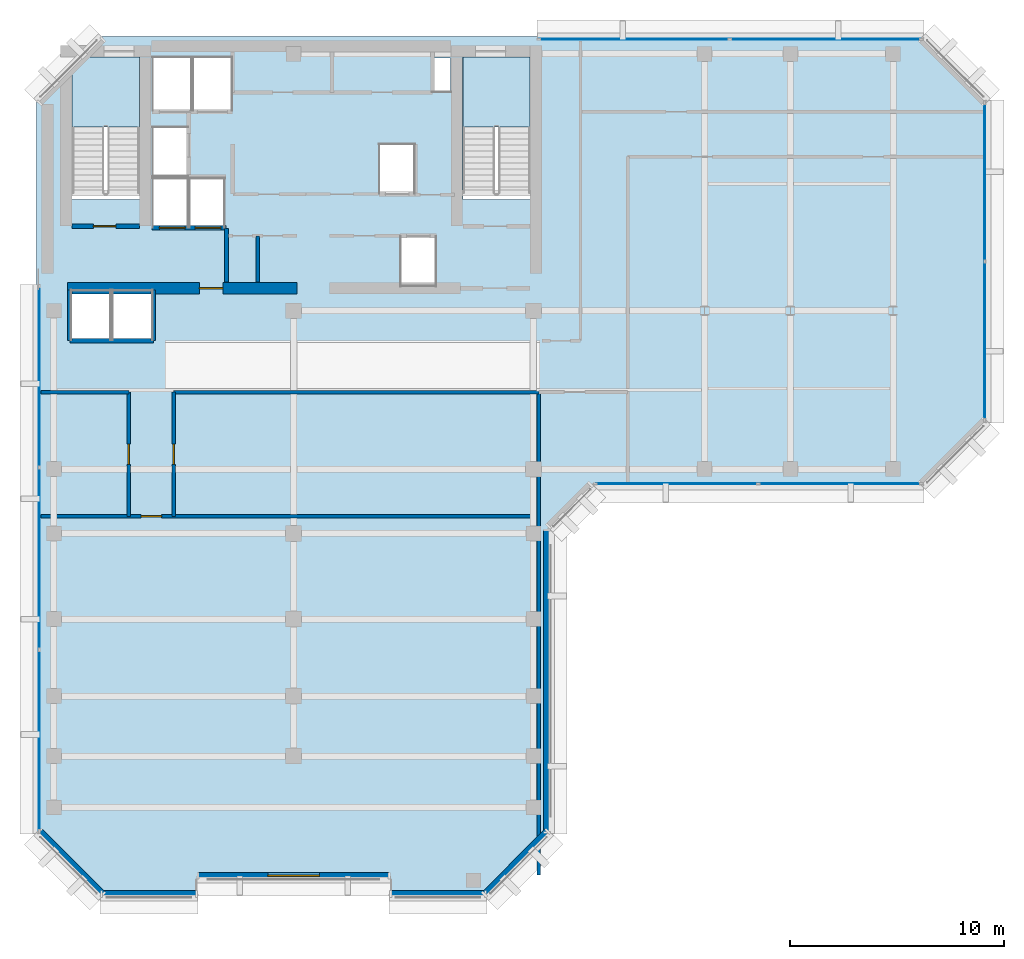
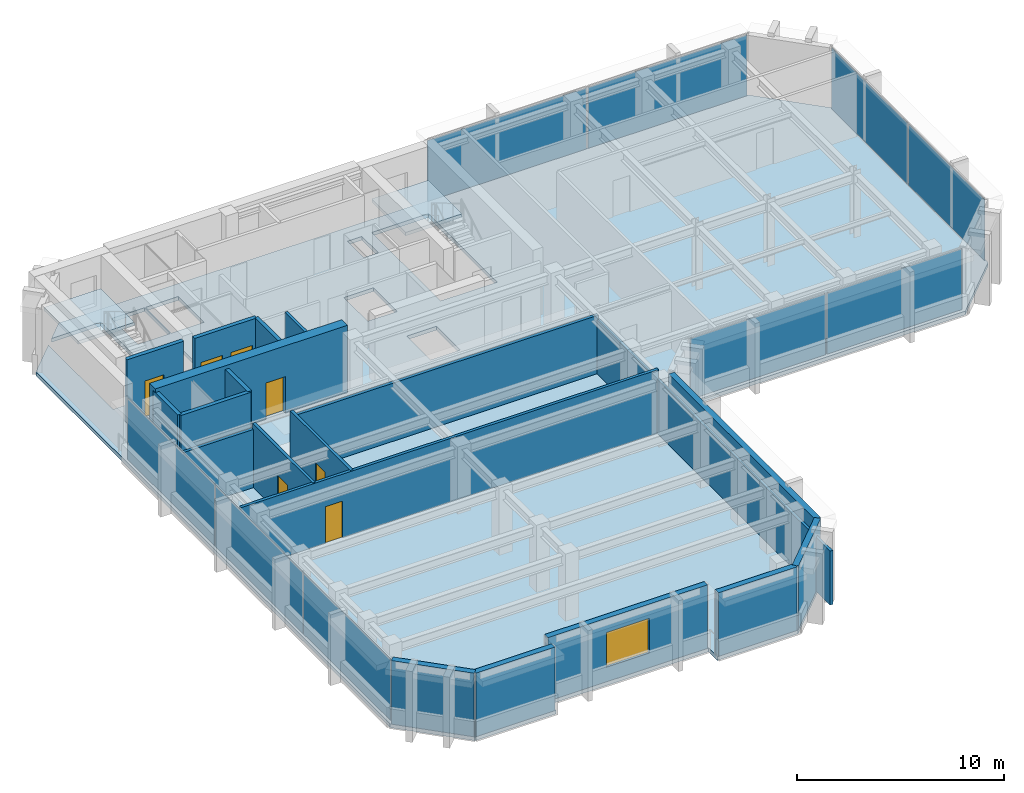
# One storey, part 6 of 12: 20 walls, 9 plates, 7 doors, 3 slabs, 1 window, 8 openings, 6 elements without a shape of their own.
"""IFC4 building model written with IfcOpenShell, lengths in metres."""

from ifc_helpers import new_model, si_unit, direction, frame, frame_2d, origin, origin_2d, place, context, subcontext, project, spatial, polyline, rectangle, outline, extrude, material, layer, layer_set, type_object, element, fill, aggregate, save


model = new_model("IFC4")

# Units and contexts
model_context = context("Model", 3, precision=1e-05, world=origin(), true_north=direction((0.0, 1.0)))
body_context = subcontext(model_context, "Body", "Model", "MODEL_VIEW")
ifc_project = project(units=[si_unit("LENGTHUNIT", "METRE"), si_unit("AREAUNIT", "SQUARE_METRE"), si_unit("VOLUMEUNIT", "CUBIC_METRE"), si_unit("PLANEANGLEUNIT", "RADIAN"), si_unit("MASSUNIT", "GRAM", prefix="KILO")], contexts=[model_context])

# Site, building, storey
site_placement = place(None, origin())
site = spatial("IfcSite", under=ifc_project, at=site_placement, CompositionType="ELEMENT")
building_placement = place(site_placement, origin())
building = spatial("IfcBuilding", under=site, at=building_placement, Name="Kefirva Bronze Tower", CompositionType="ELEMENT")
storey_placement = place(building_placement, frame((0.0, 0.0, 339.570068359375)))
storey = spatial("IfcBuildingStorey", under=building, at=storey_placement, Name="L83", CompositionType="ELEMENT", Elevation=339.570068359375)

# Stair, slab
ifc_material_1 = material(Name="Concrete C40/50", Category="concrete")
stair_type = type_object("IfcStairType", Name="RC Dogleg Protected Stair 24R", PredefinedType="HALF_TURN_STAIR", material=ifc_material_1)
stair_1_placement = place(storey_placement, origin())
stair_1 = element("IfcStair", 1, at=stair_1_placement, inside=storey, type_object=stair_type, Name="L83 Protected Exit Stair 1", PredefinedType="HALF_TURN_STAIR")
ifc_layer_1 = layer(ifc_material_1, 0.199951171875, Name="Concrete C40/50")
ifc_layer_set_1 = layer_set([ifc_layer_1], Name="Concrete C40/50")
slab_type_1 = type_object("IfcSlabType", Name="RC Stair Landing Slab 200mm", PredefinedType="LANDING", material=ifc_layer_set_1)
slab_1_placement = place(storey_placement, frame((0.0, 0.0, 1.780029296875)))
slab_1 = element("IfcSlab", 2, at=slab_1_placement, type_object=slab_type_1, Name="ST-1 landing 1", PredefinedType="LANDING", context=body_context, shape_type="SweptSolid", body=[
    extrude(outline(polyline([(4.800048828125, 41.780029296875), (4.800048828125, 45.050048828125), (1.64990234375, 45.050048828125), (1.64990234375, 41.780029296875), (4.800048828125, 41.780029296875)])), origin(), (0.0, 0.0, 1.0), 0.199951171875),
])
aggregate(stair_1, [slab_1])

stair_2_placement = place(storey_placement, origin())
stair_2 = element("IfcStair", 3, at=stair_2_placement, inside=storey, type_object=stair_type, Name="L83 Protected Exit Stair 2", PredefinedType="HALF_TURN_STAIR")
slab_2_placement = place(storey_placement, frame((0.0, 0.0, 1.780029296875)))
slab_2 = element("IfcSlab", 4, at=slab_2_placement, type_object=slab_type_1, Name="ST-2 landing 1", PredefinedType="LANDING", context=body_context, shape_type="SweptSolid", body=[
    extrude(outline(polyline([(23.050048828125, 41.780029296875), (23.050048828125, 45.050048828125), (19.89990234375, 45.050048828125), (19.89990234375, 41.780029296875), (23.050048828125, 41.780029296875)])), origin(), (0.0, 0.0, 1.0), 0.199951171875),
])
aggregate(stair_2, [slab_2])

# Slab
ifc_layer_2 = layer(ifc_material_1, 0.219970703125, Name="Concrete C40/50")
ifc_layer_set_2 = layer_set([ifc_layer_2], Name="Concrete C40/50")
slab_type_2 = type_object("IfcSlabType", Name="RC Upper Floor Slab 220mm", PredefinedType="FLOOR", material=ifc_layer_set_2)
slab_3_placement = place(storey_placement, frame((0.0, 0.0, -0.219970703125)))
element("IfcSlab", 5, at=slab_3_placement, inside=storey, type_object=slab_type_2, Name="L83 Structural Floor Slab", PredefinedType="FLOOR", context=body_context, shape_type="SweptSolid", body=[
    extrude(outline(polyline([(0.0, 8.800048828125), (0.0, 43.0), (1.64990234375, 44.64990234375), (1.64990234375, 38.39990234375), (4.800048828125, 38.39990234375), (4.800048828125, 45.050048828125), (2.050048828125, 45.050048828125), (3.0, 46.0), (41.39990234375, 46.0), (44.39990234375, 43.0), (44.39990234375, 28.0), (41.39990234375, 25.0), (26.0, 25.0), (24.0, 23.0), (24.0, 8.800048828125), (21.0, 5.800048828125), (16.5, 5.800048828125), (16.5, 6.64990234375), (7.5, 6.64990234375), (7.5, 5.800048828125), (3.0, 5.800048828125), (0.0, 8.800048828125)]), holes=[polyline([(23.050048828125, 45.050048828125), (19.89990234375, 45.050048828125), (19.89990234375, 38.39990234375), (23.050048828125, 38.39990234375), (23.050048828125, 45.050048828125)]), polyline([(19.320068359375, 43.419921875), (19.320068359375, 45.0), (18.52001953125, 45.0), (18.52001953125, 43.419921875), (19.320068359375, 43.419921875)]), polyline([(18.64990234375, 36.64990234375), (17.0, 36.64990234375), (17.0, 34.35009765625), (18.64990234375, 34.35009765625), (18.64990234375, 36.64990234375)]), polyline([(17.64990234375, 38.679931640625), (17.64990234375, 40.97998046875), (16.0, 40.97998046875), (16.0, 38.679931640625), (17.64990234375, 38.679931640625)]), polyline([(9.1201171875, 42.550048828125), (9.1201171875, 45.050048828125), (7.300048828125, 45.050048828125), (7.300048828125, 42.550048828125), (9.1201171875, 42.550048828125)]), polyline([(8.780029296875, 37.10009765625), (8.780029296875, 39.39990234375), (7.139892578125, 39.39990234375), (7.139892578125, 37.10009765625), (8.780029296875, 37.10009765625)]), polyline([(7.239990234375, 42.550048828125), (7.239990234375, 45.050048828125), (5.419921875, 45.050048828125), (5.419921875, 42.550048828125), (7.239990234375, 42.550048828125)]), polyline([(7.06005859375, 37.10009765625), (7.06005859375, 39.39990234375), (5.419921875, 39.39990234375), (5.419921875, 37.10009765625), (7.06005859375, 37.10009765625)]), polyline([(7.06005859375, 41.780029296875), (5.419921875, 41.780029296875), (5.419921875, 39.47998046875), (7.06005859375, 39.47998046875), (7.06005859375, 41.780029296875)]), polyline([(5.39990234375, 31.85009765625), (5.39990234375, 34.14990234375), (3.550048828125, 34.14990234375), (3.550048828125, 31.85009765625), (5.39990234375, 31.85009765625)]), polyline([(3.449951171875, 34.14990234375), (1.60009765625, 34.14990234375), (1.60009765625, 31.85009765625), (3.449951171875, 31.85009765625), (3.449951171875, 34.14990234375)])]), origin(), (0.0, 0.0, 1.0), 0.219970703125),
])

# Curtain wall, plates
ifc_material_2 = material(Name="Bronze anodised aluminium", Category="aluminium")
ifc_layer_3 = layer(ifc_material_2, 0.179931640625, Name="Bronze anodised aluminium")
ifc_layer_set_3 = layer_set([ifc_layer_3], Name="Bronze anodised aluminium")
curtain_wall_type = type_object("IfcCurtainWallType", Name="Unitised Bronze Ribbon Curtain Wall Zone 4", PredefinedType="USERDEFINED", material=ifc_layer_set_3)
curtain_wall_1_placement = place(storey_placement, origin())
curtain_wall_1 = element("IfcCurtainWall", 6, at=curtain_wall_1_placement, inside=storey, type_object=curtain_wall_type, Name="L83 Curtain Wall 1", ObjectType="UNITISED CURTAIN WALL", PredefinedType="USERDEFINED")
ifc_material_3 = material(Name="Laminated low-E double glazing", Category="glass")
ifc_layer_4 = layer(ifc_material_3, 0.031982421875, Name="Laminated low-E double glazing")
ifc_layer_set_4 = layer_set([ifc_layer_4], Name="Laminated low-E double glazing")
plate_type = type_object("IfcPlateType", Name="Solar-Control Low-E Vision Panel 32mm", PredefinedType="CURTAIN_PANEL", material=ifc_layer_set_4)
plate_1_placement = place(storey_placement, frame((29.896240234375, 25.1201171875, 0.07470703125), z_axis=(0.0, 0.0, 1.0), x_axis=(1.0, 0.0, 0.0)))
plate_1 = element("IfcPlate", 7, at=plate_1_placement, type_object=plate_type, Name="CW-04 panel 1.1", PredefinedType="CURTAIN_PANEL", context=body_context, shape_type="SweptSolid", body=[
    extrude(rectangle(XDim=7.532470703125, YDim=0.031982421875, at=origin_2d()), origin(), (0.0, 0.0, 1.0), 3.590087890625),
])
plate_2_placement = place(storey_placement, frame((37.503662109375, 25.1201171875, 0.07470703125), z_axis=(0.0, 0.0, 1.0), x_axis=(1.0, 0.0, 0.0)))
plate_2 = element("IfcPlate", 8, at=plate_2_placement, type_object=plate_type, Name="CW-04 panel 2.1", PredefinedType="CURTAIN_PANEL", context=body_context, shape_type="SweptSolid", body=[
    extrude(rectangle(XDim=7.532470703125, YDim=0.031982421875, at=origin_2d()), origin(), (0.0, 0.0, 1.0), 3.590087890625),
])
aggregate(curtain_wall_1, [plate_1, plate_2])

curtain_wall_2_placement = place(storey_placement, origin())
curtain_wall_2 = element("IfcCurtainWall", 9, at=curtain_wall_2_placement, inside=storey, type_object=curtain_wall_type, Name="L83 Curtain Wall 2", ObjectType="UNITISED CURTAIN WALL", PredefinedType="USERDEFINED")
plate_3_placement = place(storey_placement, frame((44.280029296875, 31.796142578125, 0.07470703125), z_axis=(0.0, 0.0, 1.0), x_axis=(0.0, 1.0, 0.0)))
plate_3 = element("IfcPlate", 10, at=plate_3_placement, type_object=plate_type, Name="CW-04 panel 1.1", PredefinedType="CURTAIN_PANEL", context=body_context, shape_type="SweptSolid", body=[
    extrude(rectangle(XDim=7.33251953125, YDim=0.031982421875, at=origin_2d()), origin(), (0.0, 0.0, 1.0), 3.590087890625),
])
plate_4_placement = place(storey_placement, frame((44.280029296875, 39.203857421875, 0.07470703125), z_axis=(0.0, 0.0, 1.0), x_axis=(0.0, 1.0, 0.0)))
plate_4 = element("IfcPlate", 11, at=plate_4_placement, type_object=plate_type, Name="CW-04 panel 2.1", PredefinedType="CURTAIN_PANEL", context=body_context, shape_type="SweptSolid", body=[
    extrude(rectangle(XDim=7.33251953125, YDim=0.031982421875, at=origin_2d()), origin(), (0.0, 0.0, 1.0), 3.590087890625),
])
aggregate(curtain_wall_2, [plate_3, plate_4])

curtain_wall_3_placement = place(storey_placement, origin())
curtain_wall_3 = element("IfcCurtainWall", 12, at=curtain_wall_3_placement, inside=storey, type_object=curtain_wall_type, Name="L83 Curtain Wall 3", ObjectType="UNITISED CURTAIN WALL", PredefinedType="USERDEFINED")
plate_5_placement = place(storey_placement, frame((36.84130859375, 45.8798828125, 0.07470703125), z_axis=(0.0, 0.0, 1.0), x_axis=(-1.0, 0.0, 0.0)))
plate_5 = element("IfcPlate", 13, at=plate_5_placement, type_object=plate_type, Name="CW-04 panel 1.1", PredefinedType="CURTAIN_PANEL", context=body_context, shape_type="SweptSolid", body=[
    extrude(rectangle(XDim=8.857421875, YDim=0.031982421875, at=origin_2d()), origin(), (0.0, 0.0, 1.0), 3.590087890625),
])
plate_6_placement = place(storey_placement, frame((27.90869140625, 45.8798828125, 0.07470703125), z_axis=(0.0, 0.0, 1.0), x_axis=(-1.0, 0.0, 0.0)))
plate_6 = element("IfcPlate", 14, at=plate_6_placement, type_object=plate_type, Name="CW-04 panel 2.1", PredefinedType="CURTAIN_PANEL", context=body_context, shape_type="SweptSolid", body=[
    extrude(rectangle(XDim=8.857421875, YDim=0.031982421875, at=origin_2d()), origin(), (0.0, 0.0, 1.0), 3.590087890625),
])
aggregate(curtain_wall_3, [plate_5, plate_6])

curtain_wall_4_placement = place(storey_placement, origin())
curtain_wall_4 = element("IfcCurtainWall", 15, at=curtain_wall_4_placement, inside=storey, type_object=curtain_wall_type, Name="L83 Curtain Wall 4", ObjectType="UNITISED CURTAIN WALL", PredefinedType="USERDEFINED")
plate_7_placement = place(storey_placement, frame((0.1201171875, 30.11962890625, 0.07470703125), z_axis=(0.0, 0.0, 1.0), x_axis=(0.0, -1.0, 0.0)))
plate_7 = element("IfcPlate", 16, at=plate_7_placement, type_object=plate_type, Name="CW-04 panel 1.1", PredefinedType="CURTAIN_PANEL", context=body_context, shape_type="SweptSolid", body=[
    extrude(rectangle(XDim=8.40087890625, YDim=0.031982421875, at=origin_2d()), origin(), (0.0, 0.0, 1.0), 3.590087890625),
])
plate_8_placement = place(storey_placement, frame((0.1201171875, 21.625, 0.07470703125), z_axis=(0.0, 0.0, 1.0), x_axis=(0.0, -1.0, 0.0)))
plate_8 = element("IfcPlate", 17, at=plate_8_placement, type_object=plate_type, Name="CW-04 panel 2.1", PredefinedType="CURTAIN_PANEL", context=body_context, shape_type="SweptSolid", body=[
    extrude(rectangle(XDim=8.438232421875, YDim=0.031982421875, at=origin_2d()), origin(), (0.0, 0.0, 1.0), 3.590087890625),
])
plate_9_placement = place(storey_placement, frame((0.1201171875, 13.13037109375, 0.07470703125), z_axis=(0.0, 0.0, 1.0), x_axis=(0.0, -1.0, 0.0)))
plate_9 = element("IfcPlate", 18, at=plate_9_placement, type_object=plate_type, Name="CW-04 panel 3.1", PredefinedType="CURTAIN_PANEL", context=body_context, shape_type="SweptSolid", body=[
    extrude(rectangle(XDim=8.40087890625, YDim=0.031982421875, at=origin_2d()), origin(), (0.0, 0.0, 1.0), 3.590087890625),
])
aggregate(curtain_wall_4, [plate_7, plate_8, plate_9])

# Wall, opening, door
ifc_material_4 = material(Name="Gypsum fireboard shaftwall")
ifc_layer_5 = layer(ifc_material_4, 0.219970703125, Name="Gypsum fireboard shaftwall")
ifc_layer_set_5 = layer_set([ifc_layer_5], Name="Gypsum fireboard shaftwall")
wall_type_1 = type_object("IfcWallType", Name="Fire-Rated Shaft Enclosure Wall 220mm", PredefinedType="PARTITIONING", material=ifc_layer_set_5)
wall_1_placement = place(storey_placement, frame((1.64990234375, 37.14990234375, 0.0), z_axis=(0.0, 0.0, 1.0), x_axis=(1.0, 0.0, 0.0)))
wall_1 = element("IfcWall", 19, at=wall_1_placement, inside=storey, type_object=wall_type_1, Name="L83 Partition W-L83-ST1S", PredefinedType="PARTITIONING", context=body_context, shape_type="SweptSolid", body=[
    extrude(rectangle(XDim=3.150146484375, YDim=0.219970703125, at=frame_2d((1.5751953125, 0.0))), origin(), (0.0, 0.0, 1.0), 3.739990234375),
])
opening_1_placement = place(wall_1_placement, frame((2.050048828125, 0.0, 0.0), z_axis=(0.0, 0.0, 1.0), x_axis=(-1.0, 0.0, 0.0)))
opening_1 = element("IfcOpeningElement", 20, at=opening_1_placement, cuts=wall_1, Name="Opening L83-D001", PredefinedType="OPENING", context=body_context, shape_type="SweptSolid", body=[
    extrude(rectangle(XDim=1.050048828125, YDim=2.14990234375, at=frame_2d((0.52490234375, 1.074951171875))), frame((0.0, 0.1201171875, 0.0), z_axis=(0.0, -1.0, 0.0), x_axis=(1.0, 0.0, 0.0)), (0.0, 0.0, 1.0), 0.239990234375),
])
ifc_material_5 = material(Name="Painted galvanized steel", Category="steel")
door_type_1 = type_object("IfcDoorType", Name="Fire Stair Enclosure Door 1050x2150 FD90S", OperationType="NOTDEFINED", PredefinedType="DOOR", material=ifc_material_5)
door_1_placement = place(opening_1_placement, origin())
door_1 = element("IfcDoor", 21, at=door_1_placement, inside=storey, type_object=door_type_1, Name="Door L83-D001", OperationType="SINGLE_SWING_LEFT", OverallHeight=2.14990234375, OverallWidth=1.050048828125, PredefinedType="DOOR", context=body_context, shape_type="SweptSolid", body=[
    extrude(rectangle(XDim=1.050048828125, YDim=2.14990234375, at=frame_2d((0.52490234375, 1.074951171875))), frame((0.0, 0.02490234375, 0.0), z_axis=(0.0, -1.0, 0.0), x_axis=(1.0, 0.0, 0.0)), (0.0, 0.0, 1.0), 0.050048828125),
])
fill(opening_1, door_1)

# Wall, openings, doors
wall_2_placement = place(storey_placement, frame((5.3798828125, 37.080078125, 0.0), z_axis=(0.0, 0.0, 1.0), x_axis=(1.0, 0.0, 0.0)))
wall_2 = element("IfcWall", 22, at=wall_2_placement, inside=storey, type_object=wall_type_1, Name="L83 Partition W-L83-FFS", PredefinedType="PARTITIONING", context=body_context, shape_type="SweptSolid", body=[
    extrude(rectangle(XDim=3.460205078125, YDim=0.219970703125, at=frame_2d((1.72998046875, 0.0))), origin(), (0.0, 0.0, 1.0), 3.739990234375),
])
opening_2_placement = place(wall_2_placement, frame((1.550048828125, 0.0, 0.0), z_axis=(0.0, 0.0, 1.0), x_axis=(-1.0, 0.0, 0.0)))
opening_2 = element("IfcOpeningElement", 23, at=opening_2_placement, cuts=wall_2, Name="Opening L83-LD-FF1", PredefinedType="OPENING", context=body_context, shape_type="SweptSolid", body=[
    extrude(rectangle(XDim=1.199951171875, YDim=2.199951171875, at=frame_2d((0.60009765625, 1.10009765625))), frame((0.0, 0.1201171875, 0.0), z_axis=(0.0, -1.0, 0.0), x_axis=(1.0, 0.0, 0.0)), (0.0, 0.0, 1.0), 0.239990234375),
])
opening_3_placement = place(wall_2_placement, frame((3.219970703125, 0.0, 0.0), z_axis=(0.0, 0.0, 1.0), x_axis=(-1.0, 0.0, 0.0)))
opening_3 = element("IfcOpeningElement", 24, at=opening_3_placement, cuts=wall_2, Name="Opening L83-LD-FF2", PredefinedType="OPENING", context=body_context, shape_type="SweptSolid", body=[
    extrude(rectangle(XDim=1.199951171875, YDim=2.199951171875, at=frame_2d((0.60009765625, 1.10009765625))), frame((0.0, 0.1201171875, 0.0), z_axis=(0.0, -1.0, 0.0), x_axis=(1.0, 0.0, 0.0)), (0.0, 0.0, 1.0), 0.239990234375),
])
ifc_material_6 = material(Name="Stainless steel 316", Category="steel")
door_type_2 = type_object("IfcDoorType", Name="Firefighting Lift Sliding Door 1200x2200", OperationType="SLIDING_TO_RIGHT", PredefinedType="DOOR", material=ifc_material_6)
door_2_placement = place(opening_2_placement, origin())
door_2 = element("IfcDoor", 25, at=door_2_placement, inside=storey, type_object=door_type_2, Name="Door L83-LD-FF1", OperationType="SLIDING_TO_RIGHT", OverallHeight=2.199951171875, OverallWidth=1.199951171875, PredefinedType="DOOR", context=body_context, shape_type="SweptSolid", body=[
    extrude(rectangle(XDim=1.199951171875, YDim=2.199951171875, at=frame_2d((0.60009765625, 1.10009765625))), frame((0.0, 0.02490234375, 0.0), z_axis=(0.0, -1.0, 0.0), x_axis=(1.0, 0.0, 0.0)), (0.0, 0.0, 1.0), 0.050048828125),
])
fill(opening_2, door_2)
door_3_placement = place(opening_3_placement, origin())
door_3 = element("IfcDoor", 26, at=door_3_placement, inside=storey, type_object=door_type_2, Name="Door L83-LD-FF2", OperationType="SLIDING_TO_RIGHT", OverallHeight=2.199951171875, OverallWidth=1.199951171875, PredefinedType="DOOR", context=body_context, shape_type="SweptSolid", body=[
    extrude(rectangle(XDim=1.199951171875, YDim=2.199951171875, at=frame_2d((0.60009765625, 1.10009765625))), frame((0.0, 0.02490234375, 0.0), z_axis=(0.0, -1.0, 0.0), x_axis=(1.0, 0.0, 0.0)), (0.0, 0.0, 1.0), 0.050048828125),
])
fill(opening_3, door_3)

# Walls
wall_3_placement = place(storey_placement, frame((1.550048828125, 31.800048828125, 0.0), z_axis=(0.0, 0.0, 1.0), x_axis=(1.0, 0.0, 0.0)))
element("IfcWall", 27, at=wall_3_placement, inside=storey, type_object=wall_type_1, Name="L83 Partition W-L83-OBS", PredefinedType="PARTITIONING", context=body_context, shape_type="SweptSolid", body=[
    extrude(rectangle(XDim=3.89990234375, YDim=0.219970703125, at=frame_2d((1.949951171875, 0.0))), origin(), (0.0, 0.0, 1.0), 3.739990234375),
])
for number, where, z_axis, x_axis, name in (
    (28, (1.550048828125, 31.800048828125, 0.0), (0.0, 0.0, 1.0), (0.0, 1.0, 0.0), "L83 Partition W-L83-OBW"),
    (29, (5.449951171875, 31.800048828125, 0.0), (0.0, 0.0, 1.0), (0.0, 1.0, 0.0), "L83 Partition W-L83-OBE"),
):
    element("IfcWall", number, at=place(storey_placement, frame(where, z_axis=z_axis, x_axis=x_axis)), inside=storey, type_object=wall_type_1, Name=name, PredefinedType="PARTITIONING", context=body_context, shape_type="SweptSolid", body=[
        extrude(rectangle(XDim=2.3798828125, YDim=0.219970703125, at=frame_2d((1.18994140625, 0.0))), origin(), (0.0, 0.0, 1.0), 3.739990234375),
    ])
ifc_material_7 = material(Name="Gypsum fireboard barrier")
ifc_layer_6 = layer(ifc_material_7, 0.199951171875, Name="Gypsum fireboard barrier")
ifc_layer_set_6 = layer_set([ifc_layer_6], Name="Gypsum fireboard barrier")
wall_type_2 = type_object("IfcWallType", Name="Firefighting Lobby Barrier Wall 200mm", PredefinedType="PARTITIONING", material=ifc_layer_set_6)
wall_4_placement = place(storey_placement, frame((8.860107421875, 34.550048828125, 0.0), z_axis=(0.0, 0.0, 1.0), x_axis=(0.0, 1.0, 0.0)))
element("IfcWall", 30, at=wall_4_placement, inside=storey, type_object=wall_type_2, Name="L83 Partition W-L83-FFLE", PredefinedType="PARTITIONING", context=body_context, shape_type="SweptSolid", body=[
    extrude(rectangle(XDim=2.5, YDim=0.199951171875, at=frame_2d((1.25, 0.0))), origin(), (0.0, 0.0, 1.0), 3.739990234375),
])
ifc_material_8 = material(Name="Precast concrete C40/50", Category="concrete")
ifc_layer_7 = layer(ifc_material_8, 0.320068359375, Name="Precast concrete C40/50")
ifc_layer_set_7 = layer_set([ifc_layer_7], Name="Precast concrete C40/50")
wall_type_3 = type_object("IfcWallType", Name="Precast Insulated Exterior Wall 320mm", PredefinedType="SOLIDWALL", material=ifc_layer_set_7)
wall_5_placement = place(storey_placement, frame((3.054931640625, 5.9599609375, 0.0), z_axis=(0.0, 0.0, 1.0), x_axis=(1.0, 0.0, 0.0)))
element("IfcWall", 31, at=wall_5_placement, inside=storey, type_object=wall_type_3, Name="L83 Exterior Facade Wall 1", PredefinedType="SOLIDWALL", context=body_context, shape_type="SweptSolid", body=[
    extrude(rectangle(XDim=4.39013671875, YDim=0.320068359375, at=frame_2d((2.195068359375, 0.0))), origin(), (0.0, 0.0, 1.0), 3.739990234375),
])

# Wall, opening, window
wall_6_placement = place(storey_placement, frame((7.554931640625, 6.81005859375, 0.0), z_axis=(0.0, 0.0, 1.0), x_axis=(1.0, 0.0, 0.0)))
wall_6 = element("IfcWall", 32, at=wall_6_placement, inside=storey, type_object=wall_type_3, Name="L83 Exterior Facade Wall 2", PredefinedType="SOLIDWALL", context=body_context, shape_type="SweptSolid", body=[
    extrude(rectangle(XDim=8.89013671875, YDim=0.320068359375, at=frame_2d((4.445068359375, 0.0))), origin(), (0.0, 0.0, 1.0), 3.739990234375),
])
opening_4_placement = place(wall_6_placement, frame((3.2451171875, 0.0, 0.85009765625)))
opening_4 = element("IfcOpeningElement", 33, at=opening_4_placement, cuts=wall_6, Name="Opening WN-01", PredefinedType="OPENING", context=body_context, shape_type="SweptSolid", body=[
    extrude(rectangle(XDim=2.39990234375, YDim=2.050048828125, at=frame_2d((1.199951171875, 1.02490234375))), frame((0.0, 0.169921875, 0.0), z_axis=(0.0, -1.0, 0.0), x_axis=(1.0, 0.0, 0.0)), (0.0, 0.0, 1.0), 0.340087890625),
])
window_type = type_object("IfcWindowType", Name="Streamline Ribbon Window 2400x2050", PartitioningType="SINGLE_PANEL", PredefinedType="WINDOW", material=ifc_material_3)
window_placement = place(opening_4_placement, origin())
window = element("IfcWindow", 34, at=window_placement, inside=storey, type_object=window_type, Name="L83 Ribbon Window 2", OverallHeight=2.050048828125, OverallWidth=2.39990234375, PartitioningType="SINGLE_PANEL", PredefinedType="WINDOW", context=body_context, shape_type="SweptSolid", body=[
    extrude(rectangle(XDim=2.39990234375, YDim=2.050048828125, at=frame_2d((1.199951171875, 1.02490234375))), frame((0.0, 0.030029296875, 0.0), z_axis=(0.0, -1.0, 0.0), x_axis=(1.0, 0.0, 0.0)), (0.0, 0.0, 1.0), 0.06005859375),
])
fill(opening_4, window)

# Walls
wall_7_placement = place(storey_placement, frame((16.554931640625, 5.9599609375, 0.0), z_axis=(0.0, 0.0, 1.0), x_axis=(1.0, 0.0, 0.0)))
element("IfcWall", 35, at=wall_7_placement, inside=storey, type_object=wall_type_3, Name="L83 Exterior Facade Wall 3", PredefinedType="SOLIDWALL", context=body_context, shape_type="SweptSolid", body=[
    extrude(rectangle(XDim=4.39013671875, YDim=0.320068359375, at=frame_2d((2.195068359375, 0.0))), origin(), (0.0, 0.0, 1.0), 3.739990234375),
])
wall_8_placement = place(storey_placement, frame((20.92578125, 5.951904296875, 0.0), z_axis=(0.0, 0.0, 1.0), x_axis=(0.707077242712, 0.707136318428, 0.0)))
element("IfcWall", 36, at=wall_8_placement, inside=storey, type_object=wall_type_3, Name="L83 Exterior Facade Wall 4", PredefinedType="SOLIDWALL", context=body_context, shape_type="SweptSolid", body=[
    extrude(rectangle(XDim=4.132568359375, YDim=0.320068359375, at=frame_2d((2.06640625, 0.0))), origin(), (0.0, 0.0, 1.0), 3.739990234375),
])
wall_9_placement = place(storey_placement, frame((23.840087890625, 8.85498046875, 0.0), z_axis=(0.0, 0.0, 1.0), x_axis=(0.0, 1.0, 0.0)))
element("IfcWall", 37, at=wall_9_placement, inside=storey, type_object=wall_type_3, Name="L83 Exterior Facade Wall 5", PredefinedType="SOLIDWALL", context=body_context, shape_type="SweptSolid", body=[
    extrude(rectangle(XDim=14.090087890625, YDim=0.320068359375, at=frame_2d((7.044921875, 0.0))), origin(), (0.0, 0.0, 1.0), 3.739990234375),
])
wall_10_placement = place(storey_placement, frame((0.152099609375, 8.874267578125, 0.0), z_axis=(0.0, 0.0, 1.0), x_axis=(0.707077242712, -0.707136318428, 0.0)))
element("IfcWall", 38, at=wall_10_placement, inside=storey, type_object=wall_type_3, Name="L83 Exterior Facade Wall 10", PredefinedType="SOLIDWALL", context=body_context, shape_type="SweptSolid", body=[
    extrude(rectangle(XDim=4.132568359375, YDim=0.320068359375, at=frame_2d((2.06640625, 0.0))), origin(), (0.0, 0.0, 1.0), 3.739990234375),
])
ifc_material_9 = material(Name="Gypsum acoustic partition")
ifc_layer_8 = layer(ifc_material_9, 0.159912109375, Name="Gypsum acoustic partition")
ifc_layer_set_8 = layer_set([ifc_layer_8], Name="Gypsum acoustic partition")
wall_type_4 = type_object("IfcWallType", Name="Protected Corridor Partition 160mm", PredefinedType="PARTITIONING", material=ifc_layer_set_8)
wall_11_placement = place(storey_placement, frame((10.320068359375, 34.550048828125, 0.0), z_axis=(0.0, 0.0, 1.0), x_axis=(0.0, 1.0, 0.0)))
element("IfcWall", 39, at=wall_11_placement, inside=storey, type_object=wall_type_4, Name="L83 Partition W-L83-RECLP1D", PredefinedType="PARTITIONING", context=body_context, shape_type="SweptSolid", body=[
    extrude(rectangle(XDim=2.14990234375, YDim=0.159912109375, at=frame_2d((1.074951171875, 0.0))), origin(), (0.0, 0.0, 1.0), 3.739990234375),
])

# Wall, opening, door
wall_12_placement = place(storey_placement, frame((4.300048828125, 23.60009765625, 0.0), z_axis=(0.0, 0.0, 1.0), x_axis=(0.0, 1.0, 0.0)))
wall_12 = element("IfcWall", 40, at=wall_12_placement, inside=storey, type_object=wall_type_4, Name="L83 Partition W-L83-SWCORW", PredefinedType="PARTITIONING", context=body_context, shape_type="SweptSolid", body=[
    extrude(rectangle(XDim=5.7998046875, YDim=0.159912109375, at=frame_2d((2.89990234375, 0.0))), origin(), (0.0, 0.0, 1.0), 3.739990234375),
])
opening_5_placement = place(wall_12_placement, frame((3.375, 0.0, 0.0), z_axis=(0.0, 0.0, 1.0), x_axis=(-1.0, 0.0, 0.0)))
opening_5 = element("IfcOpeningElement", 41, at=opening_5_placement, cuts=wall_12, Name="Opening L83-D-SW1", PredefinedType="OPENING", context=body_context, shape_type="SweptSolid", body=[
    extrude(rectangle(XDim=0.949951171875, YDim=2.14990234375, at=frame_2d((0.47509765625, 1.074951171875))), frame((0.0, 0.08984375, 0.0), z_axis=(0.0, -1.0, 0.0), x_axis=(1.0, 0.0, 0.0)), (0.0, 0.0, 1.0), 0.179931640625),
])
ifc_material_10 = material(Name="Acoustic hardwood oak", Category="wood")
door_type_3 = type_object("IfcDoorType", Name="Office & Meeting Room Door 950x2150", OperationType="NOTDEFINED", PredefinedType="DOOR", material=ifc_material_10)
door_4_placement = place(opening_5_placement, origin())
door_4 = element("IfcDoor", 42, at=door_4_placement, inside=storey, type_object=door_type_3, Name="Door L83-D-SW1", OperationType="SINGLE_SWING_RIGHT", OverallHeight=2.14990234375, OverallWidth=0.949951171875, PredefinedType="DOOR", context=body_context, shape_type="SweptSolid", body=[
    extrude(rectangle(XDim=0.949951171875, YDim=2.14990234375, at=frame_2d((0.47509765625, 1.074951171875))), frame((0.0, 0.02490234375, 0.0), z_axis=(0.0, -1.0, 0.0), x_axis=(1.0, 0.0, 0.0)), (0.0, 0.0, 1.0), 0.050048828125),
])
fill(opening_5, door_4)

wall_13_placement = place(storey_placement, frame((6.39990234375, 23.60009765625, 0.0), z_axis=(0.0, 0.0, 1.0), x_axis=(0.0, 1.0, 0.0)))
wall_13 = element("IfcWall", 43, at=wall_13_placement, inside=storey, type_object=wall_type_4, Name="L83 Partition W-L83-SECORE", PredefinedType="PARTITIONING", context=body_context, shape_type="SweptSolid", body=[
    extrude(rectangle(XDim=5.7998046875, YDim=0.159912109375, at=frame_2d((2.89990234375, 0.0))), origin(), (0.0, 0.0, 1.0), 3.739990234375),
])
opening_6_placement = place(wall_13_placement, frame((2.425048828125, 0.0, 0.0)))
opening_6 = element("IfcOpeningElement", 44, at=opening_6_placement, cuts=wall_13, Name="Opening L83-D-SE1", PredefinedType="OPENING", context=body_context, shape_type="SweptSolid", body=[
    extrude(rectangle(XDim=0.949951171875, YDim=2.14990234375, at=frame_2d((0.47509765625, 1.074951171875))), frame((0.0, 0.08984375, 0.0), z_axis=(0.0, -1.0, 0.0), x_axis=(1.0, 0.0, 0.0)), (0.0, 0.0, 1.0), 0.179931640625),
])
door_5_placement = place(opening_6_placement, origin())
door_5 = element("IfcDoor", 45, at=door_5_placement, inside=storey, type_object=door_type_3, Name="Door L83-D-SE1", OperationType="SINGLE_SWING_LEFT", OverallHeight=2.14990234375, OverallWidth=0.949951171875, PredefinedType="DOOR", context=body_context, shape_type="SweptSolid", body=[
    extrude(rectangle(XDim=0.949951171875, YDim=2.14990234375, at=frame_2d((0.47509765625, 1.074951171875))), frame((0.0, 0.02490234375, 0.0), z_axis=(0.0, -1.0, 0.0), x_axis=(1.0, 0.0, 0.0)), (0.0, 0.0, 1.0), 0.050048828125),
])
fill(opening_6, door_5)

wall_14_placement = place(storey_placement, frame((0.18994140625, 23.60009765625, 0.0), z_axis=(0.0, 0.0, 1.0), x_axis=(1.0, 0.0, 0.0)))
wall_14 = element("IfcWall", 46, at=wall_14_placement, inside=storey, type_object=wall_type_4, Name="L83 Partition W-L83-SBEND", PredefinedType="PARTITIONING", context=body_context, shape_type="SweptSolid", body=[
    extrude(rectangle(XDim=23.260009765625, YDim=0.159912109375, at=frame_2d((11.6298828125, 0.0))), origin(), (0.0, 0.0, 1.0), 3.739990234375),
])
opening_7_placement = place(wall_14_placement, frame((4.68994140625, 0.0, 0.0)))
opening_7 = element("IfcOpeningElement", 47, at=opening_7_placement, cuts=wall_14, Name="Opening L83-D-SEND1", PredefinedType="OPENING", context=body_context, shape_type="SweptSolid", body=[
    extrude(rectangle(XDim=0.949951171875, YDim=2.14990234375, at=frame_2d((0.47509765625, 1.074951171875))), frame((0.0, 0.08984375, 0.0), z_axis=(0.0, -1.0, 0.0), x_axis=(1.0, 0.0, 0.0)), (0.0, 0.0, 1.0), 0.179931640625),
])
door_6_placement = place(opening_7_placement, origin())
door_6 = element("IfcDoor", 48, at=door_6_placement, inside=storey, type_object=door_type_3, Name="Door L83-D-SEND1", OperationType="SINGLE_SWING_LEFT", OverallHeight=2.14990234375, OverallWidth=0.949951171875, PredefinedType="DOOR", context=body_context, shape_type="SweptSolid", body=[
    extrude(rectangle(XDim=0.949951171875, YDim=2.14990234375, at=frame_2d((0.47509765625, 1.074951171875))), frame((0.0, 0.02490234375, 0.0), z_axis=(0.0, -1.0, 0.0), x_axis=(1.0, 0.0, 0.0)), (0.0, 0.0, 1.0), 0.050048828125),
])
fill(opening_7, door_6)

# Walls
wall_15_placement = place(storey_placement, frame((0.18994140625, 29.39990234375, 0.0), z_axis=(0.0, 0.0, 1.0), x_axis=(1.0, 0.0, 0.0)))
element("IfcWall", 49, at=wall_15_placement, inside=storey, type_object=wall_type_4, Name="L83 Partition W-L83-NWT", PredefinedType="PARTITIONING", context=body_context, shape_type="SweptSolid", body=[
    extrude(rectangle(XDim=4.110107421875, YDim=0.159912109375, at=frame_2d((2.05517578125, 0.0))), origin(), (0.0, 0.0, 1.0), 3.425048828125),
])
wall_16_placement = place(storey_placement, frame((6.39990234375, 29.39990234375, 0.0), z_axis=(0.0, 0.0, 1.0), x_axis=(1.0, 0.0, 0.0)))
element("IfcWall", 50, at=wall_16_placement, inside=storey, type_object=wall_type_4, Name="L83 Partition W-L83-NET", PredefinedType="PARTITIONING", context=body_context, shape_type="SweptSolid", body=[
    extrude(rectangle(XDim=17.050048828125, YDim=0.159912109375, at=frame_2d((8.52490234375, 0.0))), origin(), (0.0, 0.0, 1.0), 3.425048828125),
])
wall_17_placement = place(storey_placement, frame((23.449951171875, 6.840087890625, 0.0), z_axis=(0.0, 0.0, 1.0), x_axis=(0.0, 1.0, 0.0)))
element("IfcWall", 51, at=wall_17_placement, inside=storey, type_object=wall_type_4, Name="L83 Partition W-L83-SWEAST", PredefinedType="PARTITIONING", context=body_context, shape_type="SweptSolid", body=[
    extrude(rectangle(XDim=22.559814453125, YDim=0.159912109375, at=frame_2d((11.27978515625, 0.0))), origin(), (0.0, 0.0, 1.0), 3.175048828125),
])

# Wall, opening, door
ifc_material_11 = material(Name="Concrete C50/60", Category="concrete")
ifc_layer_9 = layer(ifc_material_11, 0.550048828125, Name="Concrete C50/60")
ifc_layer_set_9 = layer_set([ifc_layer_9], Name="Concrete C50/60")
wall_type_5 = type_object("IfcWallType", Name="RC Rear Core Interior Wall 550mm", PredefinedType="SHEAR", material=ifc_layer_set_9)
wall_18_placement = place(storey_placement, frame((1.449951171875, 34.25, 0.0), z_axis=(0.0, 0.0, 1.0), x_axis=(1.0, 0.0, 0.0)))
wall_18 = element("IfcWall", 52, at=wall_18_placement, inside=storey, type_object=wall_type_5, Name="L83 Rear Core South-West Shear Wall", PredefinedType="SHEAR", context=body_context, shape_type="SweptSolid", body=[
    extrude(rectangle(XDim=10.7099609375, YDim=0.550048828125, at=frame_2d((5.35498046875, 0.0))), origin(), (0.0, 0.0, 1.0), 3.9599609375),
])
opening_8_placement = place(wall_18_placement, frame((7.25, 0.0, 0.0), z_axis=(0.0, 0.0, 1.0), x_axis=(-1.0, 0.0, 0.0)))
opening_8 = element("IfcOpeningElement", 53, at=opening_8_placement, cuts=wall_18, Name="Opening L83-D002", PredefinedType="OPENING", context=body_context, shape_type="SweptSolid", body=[
    extrude(rectangle(XDim=1.10009765625, YDim=2.14990234375, at=frame_2d((0.550048828125, 1.074951171875))), frame((0.0, 0.28515625, 0.0), z_axis=(0.0, -1.0, 0.0), x_axis=(1.0, 0.0, 0.0)), (0.0, 0.0, 1.0), 0.570068359375),
])
door_type_4 = type_object("IfcDoorType", Name="Firefighting Lobby Smoke Door 1100x2150 FD60S", OperationType="NOTDEFINED", PredefinedType="DOOR", material=ifc_material_5)
door_7_placement = place(opening_8_placement, origin())
door_7 = element("IfcDoor", 54, at=door_7_placement, inside=storey, type_object=door_type_4, Name="Door L83-D002", OperationType="SINGLE_SWING_RIGHT", OverallHeight=2.14990234375, OverallWidth=1.10009765625, PredefinedType="DOOR", context=body_context, shape_type="SweptSolid", body=[
    extrude(rectangle(XDim=1.10009765625, YDim=2.14990234375, at=frame_2d((0.550048828125, 1.074951171875))), frame((0.0, 0.02490234375, 0.0), z_axis=(0.0, -1.0, 0.0), x_axis=(1.0, 0.0, 0.0)), (0.0, 0.0, 1.0), 0.050048828125),
])
fill(opening_8, door_7)

save(model, "model.ifc")
